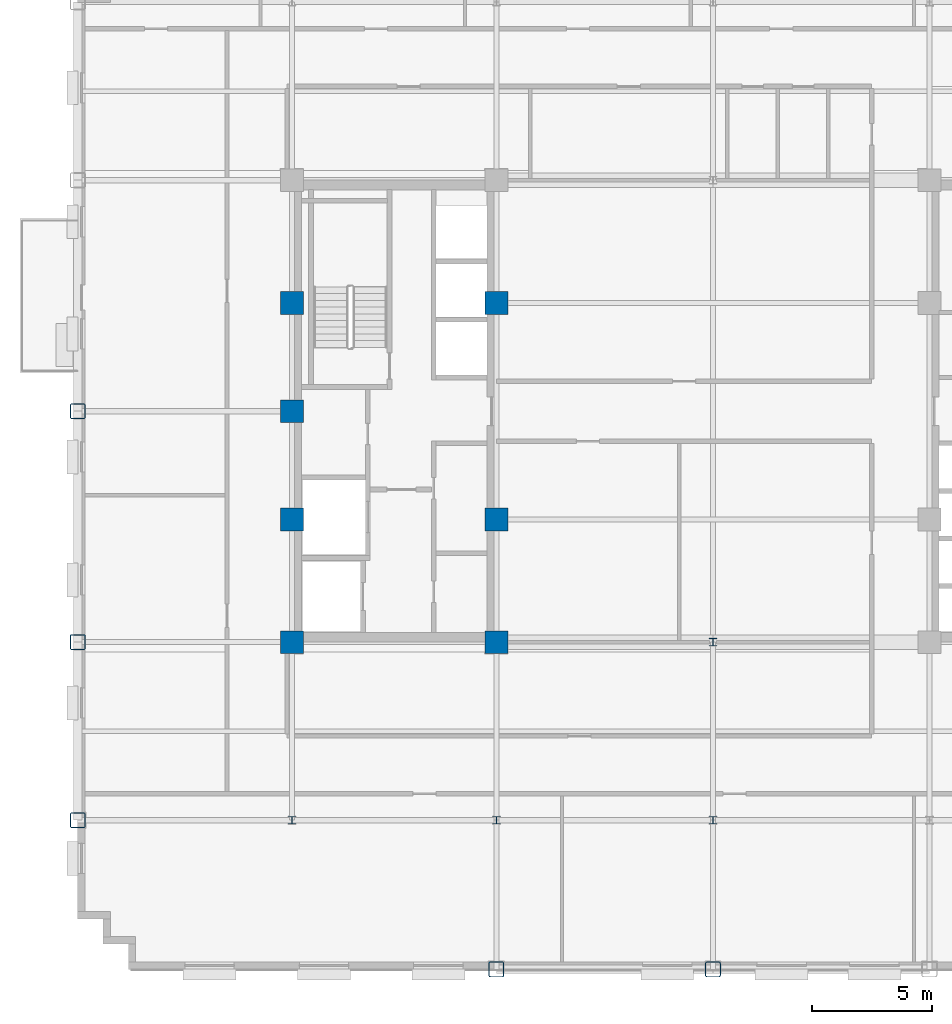
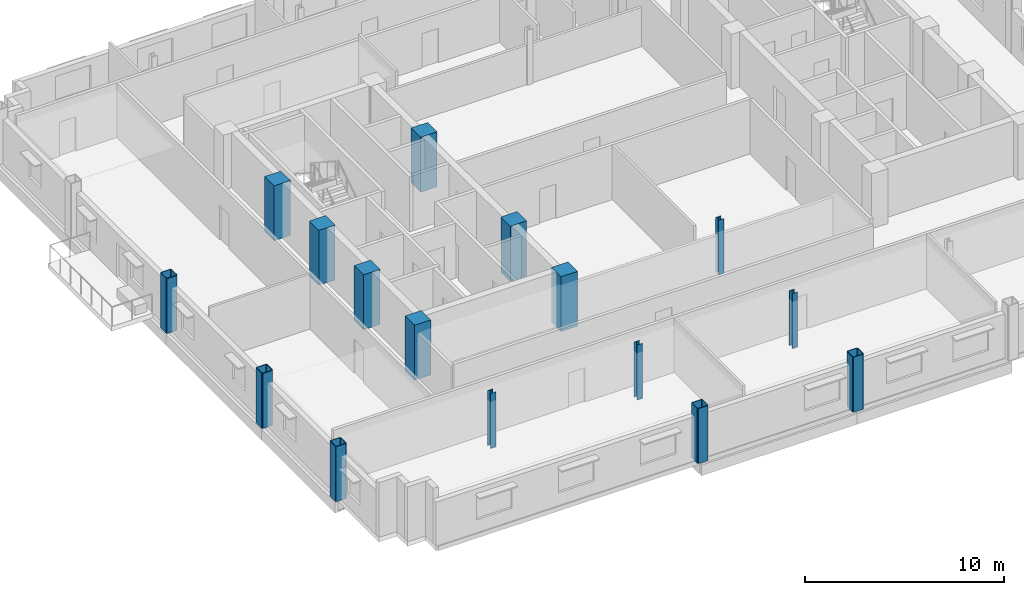
# One storey, part 1 of 14: 16 columns.
"""IFC4 building model written with IfcOpenShell, lengths in metres."""

from ifc_helpers import new_model, si_unit, direction, frame, origin, origin_2d, place, context, subcontext, project, spatial, rectangle, hollow_rectangle, i_section, extrude, material, material_profile, profile_set, type_object, element, save


model = new_model("IFC4")

# Units and contexts
model_context = context("Model", 3, precision=1e-05, world=origin(), true_north=direction((0.0, 1.0)))
body_context = subcontext(model_context, "Body", "Model", "MODEL_VIEW")
ifc_project = project(units=[si_unit("LENGTHUNIT", "METRE"), si_unit("AREAUNIT", "SQUARE_METRE"), si_unit("VOLUMEUNIT", "CUBIC_METRE"), si_unit("PLANEANGLEUNIT", "RADIAN"), si_unit("MASSUNIT", "GRAM", prefix="KILO")], contexts=[model_context])

# Site, building, storey
site_placement = place(None, origin())
site = spatial("IfcSite", under=ifc_project, at=site_placement, CompositionType="ELEMENT")
building_placement = place(site_placement, origin())
building = spatial("IfcBuilding", under=site, at=building_placement, Name="Nuvemarco Arch Tower", CompositionType="ELEMENT")
storey_placement = place(building_placement, frame((0.0, 0.0, 171.300048828125)))
storey = spatial("IfcBuildingStorey", under=building, at=storey_placement, Name="L45", CompositionType="ELEMENT", Elevation=171.300048828125)

# Columns
ifc_material_1 = material(Name="Concrete C50/60", Category="concrete")
ifc_material_profile_1 = material_profile(ifc_material_1, rectangle(XDim=0.949951171875, YDim=0.949951171875, at=origin_2d()), Name="RC-COL-950x950")
ifc_profile_set_1 = profile_set([ifc_material_profile_1], Name="Concrete C50/60")
column_type_1 = type_object("IfcColumnType", Name="COL-CORE-950", PredefinedType="COLUMN", material=ifc_profile_set_1)
for number, where, z_axis, x_axis, name in (
    (1, (-17.5, -9.60009765625, 0.0), (0.0, 0.0, 1.0), (1.0, 0.0, 0.0), "L45 column CC_-17.5_-9.6"),
    (2, (-17.5, -4.5, 0.0), (0.0, 0.0, 1.0), (1.0, 0.0, 0.0), "L45 column CC_-17.5_-4.5"),
    (3, (-17.5, 4.5, 0.0), (0.0, 0.0, 1.0), (1.0, 0.0, 0.0), "L45 column CC_-17.5_+4.5"),
    (4, (-9.0, -9.60009765625, 0.0), (0.0, 0.0, 1.0), (1.0, 0.0, 0.0), "L45 column CC_-9.0_-9.6"),
    (5, (-9.0, -4.5, 0.0), (0.0, 0.0, 1.0), (1.0, 0.0, 0.0), "L45 column CC_-9.0_-4.5"),
    (6, (-9.0, 4.5, 0.0), (0.0, 0.0, 1.0), (1.0, 0.0, 0.0), "L45 column CC_-9.0_+4.5"),
    (7, (-17.5, 0.0, 0.0), (0.0, 0.0, 1.0), (1.0, 0.0, 0.0), "L45 column CC_-17.5_+0.0"),
):
    element("IfcColumn", number, at=place(storey_placement, frame(where, z_axis=z_axis, x_axis=x_axis)), inside=storey, type_object=column_type_1, Name=name, PredefinedType="COLUMN", context=body_context, shape_type="SweptSolid", body=[
        extrude(rectangle(XDim=0.949951171875, YDim=0.949951171875, at=origin_2d()), origin(), (0.0, 0.0, 1.0), 3.369873046875),
    ])
ifc_material_2 = material(Name="Steel S355", Category="steel")
ifc_material_profile_2 = material_profile(ifc_material_2, hollow_rectangle(XDim=0.64990234375, YDim=0.64990234375, WallThickness=0.0400390625, InnerFilletRadius=0.0400390625, OuterFilletRadius=0.080078125, at=origin_2d()), Name="SHS650x650x40")
ifc_profile_set_2 = profile_set([ifc_material_profile_2], Name="Steel S355")
column_type_2 = type_object("IfcColumnType", Name="COL-EXO-650", PredefinedType="COLUMN", material=ifc_profile_set_2)
for number, where, z_axis, x_axis, name in (
    (8, (-26.39990234375, -17.0, 0.0), (0.0, 0.0, 1.0), (1.0, 0.0, 0.0), "L45 column CX_-26.4_-17.0"),
    (9, (-26.39990234375, -9.60009765625, 0.0), (0.0, 0.0, 1.0), (1.0, 0.0, 0.0), "L45 column CX_-26.4_-9.6"),
    (10, (-26.39990234375, 0.0, 0.0), (0.0, 0.0, 1.0), (1.0, 0.0, 0.0), "L45 column CX_-26.4_+0.0"),
    (11, (-9.0, -23.199951171875, 0.0), (0.0, 0.0, 1.0), (1.0, 0.0, 0.0), "L45 column CY_-9.0_-23.2"),
    (12, (0.0, -23.199951171875, 0.0), (0.0, 0.0, 1.0), (1.0, 0.0, 0.0), "L45 column CY_+0.0_-23.2"),
):
    element("IfcColumn", number, at=place(storey_placement, frame(where, z_axis=z_axis, x_axis=x_axis)), inside=storey, type_object=column_type_2, Name=name, PredefinedType="COLUMN", context=body_context, shape_type="SweptSolid", body=[
        extrude(hollow_rectangle(XDim=0.64990234375, YDim=0.64990234375, WallThickness=0.0400390625, InnerFilletRadius=0.0400390625, OuterFilletRadius=0.080078125, at=origin_2d()), origin(), (0.0, 0.0, 1.0), 3.369873046875),
    ])
ifc_material_profile_3 = material_profile(ifc_material_2, i_section(OverallWidth=0.31005859375, OverallDepth=0.31005859375, WebThickness=0.015380859375, FlangeThickness=0.015380859375, FilletRadius=0.014892578125, at=origin_2d()), Name="HP310x110")
ifc_profile_set_3 = profile_set([ifc_material_profile_3], Name="Steel S355")
column_type_3 = type_object("IfcColumnType", Name="COL-STL-HP310", PredefinedType="COLUMN", material=ifc_profile_set_3)
for number, where, z_axis, x_axis, name in (
    (13, (0.0, -17.0, 0.0), (0.0, 0.0, 1.0), (1.0, 0.0, 0.0), "L45 column CI_+0.0_-17.0"),
    (14, (0.0, -9.60009765625, 0.0), (0.0, 0.0, 1.0), (1.0, 0.0, 0.0), "L45 column CI_+0.0_-9.6"),
    (15, (-17.5, -17.0, 0.0), (0.0, 0.0, 1.0), (1.0, 0.0, 0.0), "L45 column CI_-17.5_-17.0"),
    (16, (-9.0, -17.0, 0.0), (0.0, 0.0, 1.0), (1.0, 0.0, 0.0), "L45 column CI_-9.0_-17.0"),
):
    element("IfcColumn", number, at=place(storey_placement, frame(where, z_axis=z_axis, x_axis=x_axis)), inside=storey, type_object=column_type_3, Name=name, PredefinedType="COLUMN", context=body_context, shape_type="SweptSolid", body=[
        extrude(i_section(OverallWidth=0.31005859375, OverallDepth=0.31005859375, WebThickness=0.015380859375, FlangeThickness=0.015380859375, FilletRadius=0.014892578125, at=origin_2d()), origin(), (0.0, 0.0, 1.0), 3.369873046875),
    ])

save(model, "model.ifc")
